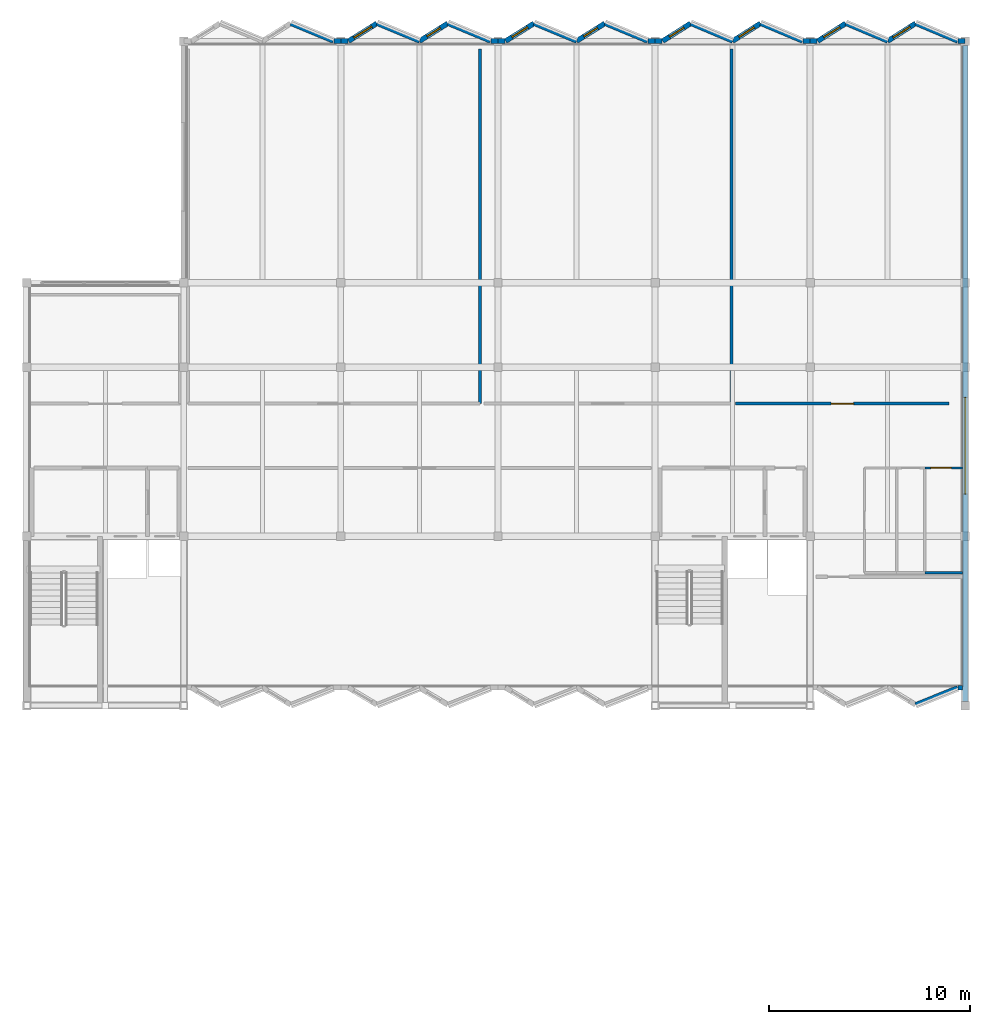
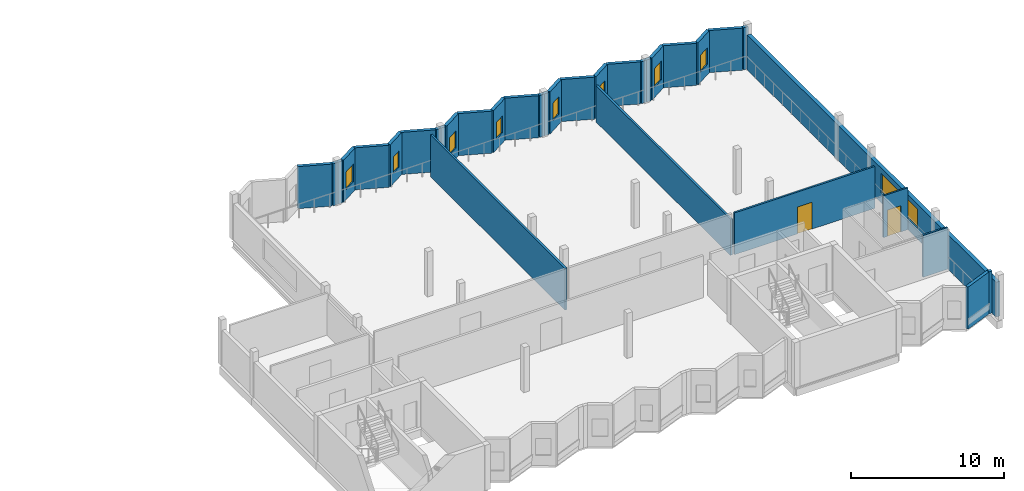
# One storey, part 16 of 22: 34 walls, 9 windows, 2 doors, 11 openings.
"""IFC4 building model written with IfcOpenShell, lengths in metres."""

from ifc_helpers import new_model, si_unit, direction, frame, frame_2d, origin, place, context, subcontext, project, spatial, rectangle, extrude, material, layer, layer_set, type_object, element, fill, save


model = new_model("IFC4")

# Units and contexts
model_context = context("Model", 3, precision=1e-05, world=origin(), true_north=direction((0.0, 1.0)))
body_context = subcontext(model_context, "Body", "Model", "MODEL_VIEW")
ifc_project = project(units=[si_unit("LENGTHUNIT", "METRE"), si_unit("AREAUNIT", "SQUARE_METRE"), si_unit("VOLUMEUNIT", "CUBIC_METRE"), si_unit("PLANEANGLEUNIT", "RADIAN"), si_unit("MASSUNIT", "GRAM", prefix="KILO")], contexts=[model_context])

# Site, building, storey
site_placement = place(None, origin())
site = spatial("IfcSite", under=ifc_project, at=site_placement, CompositionType="ELEMENT")
building_placement = place(site_placement, origin())
building = spatial("IfcBuilding", under=site, at=building_placement, Name="Vharandega Faculty of Natural Sciences", CompositionType="ELEMENT")
storey_placement = place(building_placement, frame((0.0, 0.0, 28.800048828125)))
storey = spatial("IfcBuildingStorey", under=building, at=storey_placement, Name="L07", CompositionType="ELEMENT", Elevation=28.800048828125)

# Walls
ifc_material_1 = material(Name="Gypsum fire-board on steel stud", Category="steel")
ifc_layer_1 = layer(ifc_material_1, 0.159912109375, Name="Gypsum fire-board on steel stud")
ifc_layer_set_1 = layer_set([ifc_layer_1], Name="Gypsum fire-board on steel stud")
wall_type_1 = type_object("IfcWallType", Name="Laboratory Fire Corridor Wall 160", PredefinedType="PARTITIONING", material=ifc_layer_set_1)
wall_1_placement = place(storey_placement, frame((137.300048828125, 79.0, 0.0), z_axis=(0.0, 0.0, 1.0), x_axis=(0.0, 1.0, 0.0)))
element("IfcWall", 1, at=wall_1_placement, inside=storey, type_object=wall_type_1, Name="Interior Wall PW-L07-R12E", PredefinedType="PARTITIONING", context=body_context, shape_type="SweptSolid", body=[
    extrude(rectangle(XDim=17.60009765625, YDim=0.159912109375, at=frame_2d((8.800048828125, 0.0))), origin(), (0.0, 0.0, 1.0), 3.33984375),
])
wall_2_placement = place(storey_placement, frame((149.800048828125, 79.0, 0.0), z_axis=(0.0, 0.0, 1.0), x_axis=(0.0, 1.0, 0.0)))
element("IfcWall", 2, at=wall_2_placement, inside=storey, type_object=wall_type_1, Name="Interior Wall PW-L07-R13E", PredefinedType="PARTITIONING", context=body_context, shape_type="SweptSolid", body=[
    extrude(rectangle(XDim=17.60009765625, YDim=0.159912109375, at=frame_2d((8.800048828125, 0.0))), origin(), (0.0, 0.0, 1.0), 2.89990234375),
])

# Wall, opening, door
ifc_material_2 = material(Name="Gypsum acoustic partition", Category="gypsum")
ifc_layer_2 = layer(ifc_material_2, 0.139892578125, Name="Gypsum acoustic partition")
ifc_layer_set_2 = layer_set([ifc_layer_2], Name="Gypsum acoustic partition")
wall_type_2 = type_object("IfcWallType", Name="Room Partition Wall 140", PredefinedType="PARTITIONING", material=ifc_layer_set_2)
wall_3_placement = place(storey_placement, frame((150.0, 79.0, 0.0), z_axis=(0.0, 0.0, 1.0), x_axis=(1.0, 0.0, 0.0)))
wall_3 = element("IfcWall", 3, at=wall_3_placement, inside=storey, type_object=wall_type_2, Name="Interior Wall PW-L07-R14S", PredefinedType="PARTITIONING", context=body_context, shape_type="SweptSolid", body=[
    extrude(rectangle(XDim=10.60009765625, YDim=0.139892578125, at=frame_2d((5.300048828125, 0.0))), origin(), (0.0, 0.0, 1.0), 3.33984375),
])
opening_1_placement = place(wall_3_placement, frame((4.739990234375, 0.0, 0.0)))
opening_1 = element("IfcOpeningElement", 4, at=opening_1_placement, cuts=wall_3, Name="Opening D0350", PredefinedType="OPENING", context=body_context, shape_type="SweptSolid", body=[
    extrude(rectangle(XDim=1.1201171875, YDim=2.14990234375, at=frame_2d((0.56005859375, 1.074951171875))), frame((0.0, 0.080078125, 0.0), z_axis=(0.0, -1.0, 0.0), x_axis=(1.0, 0.0, 0.0)), (0.0, 0.0, 1.0), 0.159912109375),
])
ifc_material_3 = material(Name="Solid-core hardwood timber fire door", Category="wood")
door_type_1 = type_object("IfcDoorType", Name="ID12-STUDIO-1120x2150", OperationType="NOTDEFINED", PredefinedType="DOOR", material=ifc_material_3)
door_1_placement = place(opening_1_placement, origin())
door_1 = element("IfcDoor", 5, at=door_1_placement, inside=storey, type_object=door_type_1, Name="Computational Physics Write-Up Studio Door D0350", OperationType="SINGLE_SWING_LEFT", OverallHeight=2.14990234375, OverallWidth=1.1201171875, PredefinedType="DOOR", context=body_context, shape_type="SweptSolid", body=[
    extrude(rectangle(XDim=1.1201171875, YDim=2.14990234375, at=frame_2d((0.56005859375, 1.074951171875))), frame((0.0, 0.02490234375, 0.0), z_axis=(0.0, -1.0, 0.0), x_axis=(1.0, 0.0, 0.0)), (0.0, 0.0, 1.0), 0.050048828125),
])
fill(opening_1, door_1)

# Wall
ifc_material_4 = material(Name="Moisture-resistant gypsum partition", Category="gypsum")
ifc_layer_3 = layer(ifc_material_4, 0.1201171875, Name="Moisture-resistant gypsum partition")
ifc_layer_set_3 = layer_set([ifc_layer_3], Name="Moisture-resistant gypsum partition")
wall_type_3 = type_object("IfcWallType", Name="Sanitary Wet Wall 120", PredefinedType="PARTITIONING", material=ifc_layer_set_3)
wall_4_placement = place(storey_placement, frame((159.39990234375, 70.60009765625, 0.0), z_axis=(0.0, 0.0, 1.0), x_axis=(1.0, 0.0, 0.0)))
element("IfcWall", 6, at=wall_4_placement, inside=storey, type_object=wall_type_3, Name="Interior Wall PW-L07-R10S", PredefinedType="PARTITIONING", context=body_context, shape_type="SweptSolid", body=[
    extrude(rectangle(XDim=1.860107421875, YDim=0.1201171875, at=frame_2d((0.93017578125, 0.0))), origin(), (0.0, 0.0, 1.0), 3.33984375),
])

# Wall, opening, door
wall_5_placement = place(storey_placement, frame((159.39990234375, 75.800048828125, 0.0), z_axis=(0.0, 0.0, 1.0), x_axis=(1.0, 0.0, 0.0)))
wall_5 = element("IfcWall", 7, at=wall_5_placement, inside=storey, type_object=wall_type_3, Name="Interior Wall PW-L07-R10N", PredefinedType="PARTITIONING", context=body_context, shape_type="SweptSolid", body=[
    extrude(rectangle(XDim=1.860107421875, YDim=0.1201171875, at=frame_2d((0.93017578125, 0.0))), origin(), (0.0, 0.0, 1.0), 3.33984375),
])
opening_2_placement = place(wall_5_placement, frame((0.300048828125, 0.0, 0.0)))
opening_2 = element("IfcOpeningElement", 8, at=opening_2_placement, cuts=wall_5, Name="Opening D0346", PredefinedType="OPENING", context=body_context, shape_type="SweptSolid", body=[
    extrude(rectangle(XDim=1.02001953125, YDim=2.10009765625, at=frame_2d((0.510009765625, 1.050048828125))), frame((0.0, 0.070068359375, 0.0), z_axis=(0.0, -1.0, 0.0), x_axis=(1.0, 0.0, 0.0)), (0.0, 0.0, 1.0), 0.14013671875),
])
ifc_material_5 = material(Name="Solid-core hardwood timber fire door", Category="wood")
door_type_2 = type_object("IfcDoorType", Name="ID07-ACCWC-1020x2100", OperationType="NOTDEFINED", PredefinedType="DOOR", material=ifc_material_5)
door_2_placement = place(opening_2_placement, origin())
door_2 = element("IfcDoor", 9, at=door_2_placement, inside=storey, type_object=door_type_2, Name="L07 Accessible WC Door D0346", OperationType="SINGLE_SWING_LEFT", OverallHeight=2.10009765625, OverallWidth=1.02001953125, PredefinedType="DOOR", context=body_context, shape_type="SweptSolid", body=[
    extrude(rectangle(XDim=1.02001953125, YDim=2.10009765625, at=frame_2d((0.510009765625, 1.050048828125))), frame((0.0, 0.02490234375, 0.0), z_axis=(0.0, -1.0, 0.0), x_axis=(1.0, 0.0, 0.0)), (0.0, 0.0, 1.0), 0.050048828125),
])
fill(opening_2, door_2)

# Wall, opening, window
ifc_material_6 = material(Name="Precast concrete C40/50", Category="concrete")
ifc_layer_4 = layer(ifc_material_6, 0.25, Name="Precast concrete C40/50")
ifc_layer_set_4 = layer_set([ifc_layer_4], Name="Precast concrete C40/50")
wall_type_4 = type_object("IfcWallType", Name="Sawtooth Glazed-Face Precast Wall 250", PredefinedType="SOLIDWALL", material=ifc_layer_set_4)
wall_6_placement = place(storey_placement, frame((130.780029296875, 97.0, 0.0), z_axis=(0.0, 0.0, 1.0), x_axis=(0.848023086369, 0.529959286158, 0.0)))
wall_6 = element("IfcWall", 10, at=wall_6_placement, inside=storey, type_object=wall_type_4, Name="Exterior Wall EW-SAW-L07-N03G", PredefinedType="SOLIDWALL", context=body_context, shape_type="SweptSolid", body=[
    extrude(rectangle(XDim=1.660400390625, YDim=0.25, at=frame_2d((0.830078125, 0.0))), origin(), (0.0, 0.0, 1.0), 3.35986328125),
])
opening_3_placement = place(wall_6_placement, frame((0.30517578125, 0.0, 0.820068359375)))
opening_3 = element("IfcOpeningElement", 11, at=opening_3_placement, cuts=wall_6, Name="Opening WN-06", PredefinedType="OPENING", context=body_context, shape_type="SweptSolid", body=[
    extrude(rectangle(XDim=1.050048828125, YDim=1.39990234375, at=frame_2d((0.52490234375, 0.699951171875))), frame((0.0, 0.135009765625, 0.0), z_axis=(0.0, -1.0, 0.0), x_axis=(1.0, 0.0, 0.0)), (0.0, 0.0, 1.0), 0.27001953125),
])
ifc_material_7 = material(Name="Double-glazed solar-control glass in thermally broken aluminium frame", Category="aluminium")
window_type_1 = type_object("IfcWindowType", Name="WIN-SAW-105x140", PartitioningType="SINGLE_PANEL", PredefinedType="WINDOW", material=ifc_material_7)
window_1_placement = place(opening_3_placement, origin())
window_1 = element("IfcWindow", 12, at=window_1_placement, inside=storey, type_object=window_type_1, Name="Window WIN-L07-0051", OverallHeight=1.39990234375, OverallWidth=1.050048828125, PartitioningType="SINGLE_PANEL", PredefinedType="WINDOW", context=body_context, shape_type="SweptSolid", body=[
    extrude(rectangle(XDim=1.050048828125, YDim=1.39990234375, at=frame_2d((0.52490234375, 0.699951171875))), frame((0.0, 0.030029296875, 0.0), z_axis=(0.0, -1.0, 0.0), x_axis=(1.0, 0.0, 0.0)), (0.0, 0.0, 1.0), 0.06005859375),
])
fill(opening_3, window_1)

wall_7_placement = place(storey_placement, frame((134.300048828125, 97.0, 0.0), z_axis=(0.0, 0.0, 1.0), x_axis=(0.848023086369, 0.529959286158, 0.0)))
wall_7 = element("IfcWall", 13, at=wall_7_placement, inside=storey, type_object=wall_type_4, Name="Exterior Wall EW-SAW-L07-N04G", PredefinedType="SOLIDWALL", context=body_context, shape_type="SweptSolid", body=[
    extrude(rectangle(XDim=1.660400390625, YDim=0.25, at=frame_2d((0.830078125, 0.0))), origin(), (0.0, 0.0, 1.0), 3.35986328125),
])
opening_4_placement = place(wall_7_placement, frame((0.440185546875, 0.0, 0.820068359375)))
opening_4 = element("IfcOpeningElement", 14, at=opening_4_placement, cuts=wall_7, Name="Opening WN-06A", PredefinedType="OPENING", context=body_context, shape_type="SweptSolid", body=[
    extrude(rectangle(XDim=0.780029296875, YDim=1.300048828125, at=frame_2d((0.39013671875, 0.64990234375))), frame((0.0, 0.135009765625, 0.0), z_axis=(0.0, -1.0, 0.0), x_axis=(1.0, 0.0, 0.0)), (0.0, 0.0, 1.0), 0.27001953125),
])
ifc_material_8 = material(Name="Double-glazed solar-control glass in thermally broken aluminium frame", Category="aluminium")
window_type_2 = type_object("IfcWindowType", Name="WIN-SAW-078x130", PartitioningType="SINGLE_PANEL", PredefinedType="WINDOW", material=ifc_material_8)
window_2_placement = place(opening_4_placement, origin())
window_2 = element("IfcWindow", 15, at=window_2_placement, inside=storey, type_object=window_type_2, Name="Window WIN-L07-0052", OverallHeight=1.300048828125, OverallWidth=0.780029296875, PartitioningType="SINGLE_PANEL", PredefinedType="WINDOW", context=body_context, shape_type="SweptSolid", body=[
    extrude(rectangle(XDim=0.780029296875, YDim=1.300048828125, at=frame_2d((0.39013671875, 0.64990234375))), frame((0.0, 0.030029296875, 0.0), z_axis=(0.0, -1.0, 0.0), x_axis=(1.0, 0.0, 0.0)), (0.0, 0.0, 1.0), 0.06005859375),
])
fill(opening_4, window_2)

wall_8_placement = place(storey_placement, frame((138.580078125, 97.0, 0.0), z_axis=(0.0, 0.0, 1.0), x_axis=(0.848023086369, 0.529959286158, 0.0)))
wall_8 = element("IfcWall", 16, at=wall_8_placement, inside=storey, type_object=wall_type_4, Name="Exterior Wall EW-SAW-L07-N05G", PredefinedType="SOLIDWALL", context=body_context, shape_type="SweptSolid", body=[
    extrude(rectangle(XDim=1.660400390625, YDim=0.25, at=frame_2d((0.830078125, 0.0))), origin(), (0.0, 0.0, 1.0), 3.35986328125),
])
opening_5_placement = place(wall_8_placement, frame((0.3701171875, 0.0, 0.820068359375)))
opening_5 = element("IfcOpeningElement", 17, at=opening_5_placement, cuts=wall_8, Name="Opening WN-06B", PredefinedType="OPENING", context=body_context, shape_type="SweptSolid", body=[
    extrude(rectangle(XDim=0.919921875, YDim=1.3798828125, at=frame_2d((0.4599609375, 0.68994140625))), frame((0.0, 0.135009765625, 0.0), z_axis=(0.0, -1.0, 0.0), x_axis=(1.0, 0.0, 0.0)), (0.0, 0.0, 1.0), 0.27001953125),
])
ifc_material_9 = material(Name="Double-glazed solar-control glass in thermally broken aluminium frame", Category="aluminium")
window_type_3 = type_object("IfcWindowType", Name="WIN-SAW-092x138", PartitioningType="SINGLE_PANEL", PredefinedType="WINDOW", material=ifc_material_9)
window_3_placement = place(opening_5_placement, origin())
window_3 = element("IfcWindow", 18, at=window_3_placement, inside=storey, type_object=window_type_3, Name="Window WIN-L07-0053", OverallHeight=1.3798828125, OverallWidth=0.919921875, PartitioningType="SINGLE_PANEL", PredefinedType="WINDOW", context=body_context, shape_type="SweptSolid", body=[
    extrude(rectangle(XDim=0.919921875, YDim=1.3798828125, at=frame_2d((0.4599609375, 0.68994140625))), frame((0.0, 0.030029296875, 0.0), z_axis=(0.0, -1.0, 0.0), x_axis=(1.0, 0.0, 0.0)), (0.0, 0.0, 1.0), 0.06005859375),
])
fill(opening_5, window_3)

wall_9_placement = place(storey_placement, frame((142.10009765625, 97.0, 0.0), z_axis=(0.0, 0.0, 1.0), x_axis=(0.848023086369, 0.529959286158, 0.0)))
wall_9 = element("IfcWall", 19, at=wall_9_placement, inside=storey, type_object=wall_type_4, Name="Exterior Wall EW-SAW-L07-N06G", PredefinedType="SOLIDWALL", context=body_context, shape_type="SweptSolid", body=[
    extrude(rectangle(XDim=1.660400390625, YDim=0.25, at=frame_2d((0.830078125, 0.0))), origin(), (0.0, 0.0, 1.0), 3.35986328125),
])
opening_6_placement = place(wall_9_placement, frame((0.43017578125, 0.0, 0.820068359375)))
opening_6 = element("IfcOpeningElement", 20, at=opening_6_placement, cuts=wall_9, Name="Opening WN-01", PredefinedType="OPENING", context=body_context, shape_type="SweptSolid", body=[
    extrude(rectangle(XDim=0.800048828125, YDim=1.35009765625, at=frame_2d((0.39990234375, 0.675048828125))), frame((0.0, 0.135009765625, 0.0), z_axis=(0.0, -1.0, 0.0), x_axis=(1.0, 0.0, 0.0)), (0.0, 0.0, 1.0), 0.27001953125),
])
ifc_material_10 = material(Name="Double-glazed solar-control glass in thermally broken aluminium frame", Category="aluminium")
window_type_4 = type_object("IfcWindowType", Name="WIN-SAW-080x135", PartitioningType="SINGLE_PANEL", PredefinedType="WINDOW", material=ifc_material_10)
window_4_placement = place(opening_6_placement, origin())
window_4 = element("IfcWindow", 21, at=window_4_placement, inside=storey, type_object=window_type_4, Name="Window WIN-L07-0054", OverallHeight=1.35009765625, OverallWidth=0.800048828125, PartitioningType="SINGLE_PANEL", PredefinedType="WINDOW", context=body_context, shape_type="SweptSolid", body=[
    extrude(rectangle(XDim=0.800048828125, YDim=1.35009765625, at=frame_2d((0.39990234375, 0.675048828125))), frame((0.0, 0.030029296875, 0.0), z_axis=(0.0, -1.0, 0.0), x_axis=(1.0, 0.0, 0.0)), (0.0, 0.0, 1.0), 0.06005859375),
])
fill(opening_6, window_4)

wall_10_placement = place(storey_placement, frame((146.3798828125, 97.0, 0.0), z_axis=(0.0, 0.0, 1.0), x_axis=(0.844626536799, 0.535355968805, 0.0)))
wall_10 = element("IfcWall", 22, at=wall_10_placement, inside=storey, type_object=wall_type_4, Name="Exterior Wall EW-SAW-L07-N07G", PredefinedType="SOLIDWALL", context=body_context, shape_type="SweptSolid", body=[
    extrude(rectangle(XDim=1.6435546875, YDim=0.25, at=frame_2d((0.82177734375, 0.0))), origin(), (0.0, 0.0, 1.0), 3.35986328125),
])
opening_7_placement = place(wall_10_placement, frame((0.396728515625, 0.0, 0.820068359375)))
opening_7 = element("IfcOpeningElement", 23, at=opening_7_placement, cuts=wall_10, Name="Opening WN-02", PredefinedType="OPENING", context=body_context, shape_type="SweptSolid", body=[
    extrude(rectangle(XDim=0.85009765625, YDim=1.39990234375, at=frame_2d((0.425048828125, 0.699951171875))), frame((0.0, 0.135009765625, 0.0), z_axis=(0.0, -1.0, 0.0), x_axis=(1.0, 0.0, 0.0)), (0.0, 0.0, 1.0), 0.27001953125),
])
ifc_material_11 = material(Name="Double-glazed solar-control glass in thermally broken aluminium frame", Category="aluminium")
window_type_5 = type_object("IfcWindowType", Name="WIN-SAW-085x140", PartitioningType="SINGLE_PANEL", PredefinedType="WINDOW", material=ifc_material_11)
window_5_placement = place(opening_7_placement, origin())
window_5 = element("IfcWindow", 24, at=window_5_placement, inside=storey, type_object=window_type_5, Name="Window WIN-L07-0055", OverallHeight=1.39990234375, OverallWidth=0.85009765625, PartitioningType="SINGLE_PANEL", PredefinedType="WINDOW", context=body_context, shape_type="SweptSolid", body=[
    extrude(rectangle(XDim=0.85009765625, YDim=1.39990234375, at=frame_2d((0.425048828125, 0.699951171875))), frame((0.0, 0.030029296875, 0.0), z_axis=(0.0, -1.0, 0.0), x_axis=(1.0, 0.0, 0.0)), (0.0, 0.0, 1.0), 0.06005859375),
])
fill(opening_7, window_5)

wall_11_placement = place(storey_placement, frame((149.85009765625, 97.0, 0.0), z_axis=(0.0, 0.0, 1.0), x_axis=(0.844583954912, 0.535423143976, 0.0)))
wall_11 = element("IfcWall", 25, at=wall_11_placement, inside=storey, type_object=wall_type_4, Name="Exterior Wall EW-SAW-L07-N08G", PredefinedType="SOLIDWALL", context=body_context, shape_type="SweptSolid", body=[
    extrude(rectangle(XDim=1.643310546875, YDim=0.25, at=frame_2d((0.82177734375, 0.0))), origin(), (0.0, 0.0, 1.0), 3.35986328125),
])
opening_8_placement = place(wall_11_placement, frame((0.37158203125, 0.0, 0.820068359375)))
opening_8 = element("IfcOpeningElement", 26, at=opening_8_placement, cuts=wall_11, Name="Opening WN-03", PredefinedType="OPENING", context=body_context, shape_type="SweptSolid", body=[
    extrude(rectangle(XDim=0.89990234375, YDim=1.449951171875, at=frame_2d((0.449951171875, 0.72509765625))), frame((0.0, 0.135009765625, 0.0), z_axis=(0.0, -1.0, 0.0), x_axis=(1.0, 0.0, 0.0)), (0.0, 0.0, 1.0), 0.27001953125),
])
ifc_material_12 = material(Name="Double-glazed solar-control glass in thermally broken aluminium frame", Category="aluminium")
window_type_6 = type_object("IfcWindowType", Name="WIN-SAW-090x145", PartitioningType="SINGLE_PANEL", PredefinedType="WINDOW", material=ifc_material_12)
window_6_placement = place(opening_8_placement, origin())
window_6 = element("IfcWindow", 27, at=window_6_placement, inside=storey, type_object=window_type_6, Name="Window WIN-L07-0056", OverallHeight=1.449951171875, OverallWidth=0.89990234375, PartitioningType="SINGLE_PANEL", PredefinedType="WINDOW", context=body_context, shape_type="SweptSolid", body=[
    extrude(rectangle(XDim=0.89990234375, YDim=1.449951171875, at=frame_2d((0.449951171875, 0.72509765625))), frame((0.0, 0.030029296875, 0.0), z_axis=(0.0, -1.0, 0.0), x_axis=(1.0, 0.0, 0.0)), (0.0, 0.0, 1.0), 0.06005859375),
])
fill(opening_8, window_6)

wall_12_placement = place(storey_placement, frame((154.080078125, 97.0, 0.0), z_axis=(0.0, 0.0, 1.0), x_axis=(0.844583954912, 0.535423143976, 0.0)))
wall_12 = element("IfcWall", 28, at=wall_12_placement, inside=storey, type_object=wall_type_4, Name="Exterior Wall EW-SAW-L07-N09G", PredefinedType="SOLIDWALL", context=body_context, shape_type="SweptSolid", body=[
    extrude(rectangle(XDim=1.643310546875, YDim=0.25, at=frame_2d((0.82177734375, 0.0))), origin(), (0.0, 0.0, 1.0), 3.35986328125),
])
opening_9_placement = place(wall_12_placement, frame((0.3466796875, 0.0, 0.820068359375)))
opening_9 = element("IfcOpeningElement", 29, at=opening_9_placement, cuts=wall_12, Name="Opening WN-04", PredefinedType="OPENING", context=body_context, shape_type="SweptSolid", body=[
    extrude(rectangle(XDim=0.949951171875, YDim=1.5, at=frame_2d((0.47509765625, 0.75))), frame((0.0, 0.135009765625, 0.0), z_axis=(0.0, -1.0, 0.0), x_axis=(1.0, 0.0, 0.0)), (0.0, 0.0, 1.0), 0.27001953125),
])
ifc_material_13 = material(Name="Double-glazed solar-control glass in thermally broken aluminium frame", Category="aluminium")
window_type_7 = type_object("IfcWindowType", Name="WIN-SAW-095x150", PartitioningType="SINGLE_PANEL", PredefinedType="WINDOW", material=ifc_material_13)
window_7_placement = place(opening_9_placement, origin())
window_7 = element("IfcWindow", 30, at=window_7_placement, inside=storey, type_object=window_type_7, Name="Window WIN-L07-0057", OverallHeight=1.5, OverallWidth=0.949951171875, PartitioningType="SINGLE_PANEL", PredefinedType="WINDOW", context=body_context, shape_type="SweptSolid", body=[
    extrude(rectangle(XDim=0.949951171875, YDim=1.5, at=frame_2d((0.47509765625, 0.75))), frame((0.0, 0.030029296875, 0.0), z_axis=(0.0, -1.0, 0.0), x_axis=(1.0, 0.0, 0.0)), (0.0, 0.0, 1.0), 0.06005859375),
])
fill(opening_9, window_7)

wall_13_placement = place(storey_placement, frame((157.550048828125, 97.0, 0.0), z_axis=(0.0, 0.0, 1.0), x_axis=(0.844583954912, 0.535423143976, 0.0)))
wall_13 = element("IfcWall", 31, at=wall_13_placement, inside=storey, type_object=wall_type_4, Name="Exterior Wall EW-SAW-L07-N10G", PredefinedType="SOLIDWALL", context=body_context, shape_type="SweptSolid", body=[
    extrude(rectangle(XDim=1.643310546875, YDim=0.25, at=frame_2d((0.82177734375, 0.0))), origin(), (0.0, 0.0, 1.0), 3.35986328125),
])
opening_10_placement = place(wall_13_placement, frame((0.32177734375, 0.0, 0.820068359375)))
opening_10 = element("IfcOpeningElement", 32, at=opening_10_placement, cuts=wall_13, Name="Opening WN-05", PredefinedType="OPENING", context=body_context, shape_type="SweptSolid", body=[
    extrude(rectangle(XDim=1.0, YDim=1.35009765625, at=frame_2d((0.5, 0.675048828125))), frame((0.0, 0.135009765625, 0.0), z_axis=(0.0, -1.0, 0.0), x_axis=(1.0, 0.0, 0.0)), (0.0, 0.0, 1.0), 0.27001953125),
])
ifc_material_14 = material(Name="Double-glazed solar-control glass in thermally broken aluminium frame", Category="aluminium")
window_type_8 = type_object("IfcWindowType", Name="WIN-SAW-100x135", PartitioningType="SINGLE_PANEL", PredefinedType="WINDOW", material=ifc_material_14)
window_8_placement = place(opening_10_placement, origin())
window_8 = element("IfcWindow", 33, at=window_8_placement, inside=storey, type_object=window_type_8, Name="Window WIN-L07-0058", OverallHeight=1.35009765625, OverallWidth=1.0, PartitioningType="SINGLE_PANEL", PredefinedType="WINDOW", context=body_context, shape_type="SweptSolid", body=[
    extrude(rectangle(XDim=1.0, YDim=1.35009765625, at=frame_2d((0.5, 0.675048828125))), frame((0.0, 0.030029296875, 0.0), z_axis=(0.0, -1.0, 0.0), x_axis=(1.0, 0.0, 0.0)), (0.0, 0.0, 1.0), 0.06005859375),
])
fill(opening_10, window_8)

# Walls
ifc_material_15 = material(Name="Precast concrete C40/50", Category="concrete")
ifc_layer_5 = layer(ifc_material_15, 0.22998046875, Name="Precast concrete C40/50")
ifc_layer_set_5 = layer_set([ifc_layer_5], Name="Precast concrete C40/50")
wall_type_5 = type_object("IfcWallType", Name="Sawtooth Solid White Precast Wall 230", PredefinedType="SOLIDWALL", material=ifc_layer_set_5)
wall_14_placement = place(storey_placement, frame((130.050048828125, 97.0, 0.0), z_axis=(0.0, 0.0, 1.0), x_axis=(1.0, 0.0, 0.0)))
element("IfcWall", 34, at=wall_14_placement, inside=storey, type_object=wall_type_5, Name="Exterior Wall EW-SHL-L07-N17R", PredefinedType="SOLIDWALL", context=body_context, shape_type="SweptSolid", body=[
    extrude(rectangle(XDim=0.349853515625, YDim=0.22998046875, at=frame_2d((0.1748046875, 0.0))), origin(), (0.0, 0.0, 1.0), 3.35986328125),
])
wall_15_placement = place(storey_placement, frame((130.39990234375, 97.0, 0.0), z_axis=(0.0, 0.0, 1.0), x_axis=(1.0, 0.0, 0.0)))
element("IfcWall", 35, at=wall_15_placement, inside=storey, type_object=wall_type_5, Name="Exterior Wall EW-SHL-L07-N17L", PredefinedType="SOLIDWALL", context=body_context, shape_type="SweptSolid", body=[
    extrude(rectangle(XDim=0.35009765625, YDim=0.22998046875, at=frame_2d((0.175048828125, 0.0))), origin(), (0.0, 0.0, 1.0), 3.35986328125),
])
wall_16_placement = place(storey_placement, frame((137.85009765625, 97.0, 0.0), z_axis=(0.0, 0.0, 1.0), x_axis=(1.0, 0.0, 0.0)))
element("IfcWall", 36, at=wall_16_placement, inside=storey, type_object=wall_type_5, Name="Exterior Wall EW-SHL-L07-N18R", PredefinedType="SOLIDWALL", context=body_context, shape_type="SweptSolid", body=[
    extrude(rectangle(XDim=0.349853515625, YDim=0.22998046875, at=frame_2d((0.1748046875, 0.0))), origin(), (0.0, 0.0, 1.0), 3.35986328125),
])
for number, where, z_axis, x_axis, name in (
    (37, (138.199951171875, 97.0, 0.0), (0.0, 0.0, 1.0), (1.0, 0.0, 0.0), "Exterior Wall EW-SHL-L07-N18L"),
    (38, (145.64990234375, 97.0, 0.0), (0.0, 0.0, 1.0), (1.0, 0.0, 0.0), "Exterior Wall EW-SHL-L07-N19R"),
    (39, (146.0, 97.0, 0.0), (0.0, 0.0, 1.0), (1.0, 0.0, 0.0), "Exterior Wall EW-SHL-L07-N19L"),
):
    element("IfcWall", number, at=place(storey_placement, frame(where, z_axis=z_axis, x_axis=x_axis)), inside=storey, type_object=wall_type_5, Name=name, PredefinedType="SOLIDWALL", context=body_context, shape_type="SweptSolid", body=[
        extrude(rectangle(XDim=0.35009765625, YDim=0.22998046875, at=frame_2d((0.175048828125, 0.0))), origin(), (0.0, 0.0, 1.0), 3.35986328125),
    ])
wall_17_placement = place(storey_placement, frame((153.35009765625, 97.0, 0.0), z_axis=(0.0, 0.0, 1.0), x_axis=(1.0, 0.0, 0.0)))
element("IfcWall", 40, at=wall_17_placement, inside=storey, type_object=wall_type_5, Name="Exterior Wall EW-SHL-L07-N20R", PredefinedType="SOLIDWALL", context=body_context, shape_type="SweptSolid", body=[
    extrude(rectangle(XDim=0.349853515625, YDim=0.22998046875, at=frame_2d((0.1748046875, 0.0))), origin(), (0.0, 0.0, 1.0), 3.35986328125),
])
wall_18_placement = place(storey_placement, frame((153.699951171875, 97.0, 0.0), z_axis=(0.0, 0.0, 1.0), x_axis=(1.0, 0.0, 0.0)))
element("IfcWall", 41, at=wall_18_placement, inside=storey, type_object=wall_type_5, Name="Exterior Wall EW-SHL-L07-N20L", PredefinedType="SOLIDWALL", context=body_context, shape_type="SweptSolid", body=[
    extrude(rectangle(XDim=0.35009765625, YDim=0.22998046875, at=frame_2d((0.175048828125, 0.0))), origin(), (0.0, 0.0, 1.0), 3.35986328125),
])
wall_19_placement = place(storey_placement, frame((161.050048828125, 97.0, 0.0), z_axis=(0.0, 0.0, 1.0), x_axis=(1.0, 0.0, 0.0)))
element("IfcWall", 42, at=wall_19_placement, inside=storey, type_object=wall_type_5, Name="Exterior Wall EW-SHL-L07-N21R", PredefinedType="SOLIDWALL", context=body_context, shape_type="SweptSolid", body=[
    extrude(rectangle(XDim=0.349853515625, YDim=0.22998046875, at=frame_2d((0.1748046875, 0.0))), origin(), (0.0, 0.0, 1.0), 3.35986328125),
])
wall_20_placement = place(storey_placement, frame((161.264892578125, 64.8798828125, 0.0), z_axis=(0.0, 0.0, 1.0), x_axis=(-1.0, 0.0, 0.0)))
element("IfcWall", 43, at=wall_20_placement, inside=storey, type_object=wall_type_5, Name="Exterior Wall EW-SHL-L07-S2021FR", PredefinedType="SOLIDWALL", context=body_context, shape_type="SweptSolid", body=[
    extrude(rectangle(XDim=0.224853515625, YDim=0.22998046875, at=frame_2d((0.1123046875, 0.0))), origin(), (0.0, 0.0, 1.0), 3.35986328125),
])
for number, where, z_axis, x_axis, name in (
    (44, (127.907958984375, 97.8798828125, 0.0), (0.0, 0.0, 1.0), (0.92309902008, -0.384562347517, 0.0), "Exterior Wall EW-SAW-L07-N02S"),
    (45, (132.18798828125, 97.8798828125, 0.0), (0.0, 0.0, 1.0), (0.92309902008, -0.384562347517, 0.0), "Exterior Wall EW-SAW-L07-N03S"),
    (46, (135.7080078125, 97.8798828125, 0.0), (0.0, 0.0, 1.0), (0.92309902008, -0.384562347517, 0.0), "Exterior Wall EW-SAW-L07-N04S"),
    (47, (139.988037109375, 97.8798828125, 0.0), (0.0, 0.0, 1.0), (0.92309902008, -0.384562347517, 0.0), "Exterior Wall EW-SAW-L07-N05S"),
    (48, (143.508056640625, 97.8798828125, 0.0), (0.0, 0.0, 1.0), (0.92309902008, -0.384562347517, 0.0), "Exterior Wall EW-SAW-L07-N06S"),
):
    element("IfcWall", number, at=place(storey_placement, frame(where, z_axis=z_axis, x_axis=x_axis)), inside=storey, type_object=wall_type_5, Name=name, PredefinedType="SOLIDWALL", context=body_context, shape_type="SweptSolid", body=[
        extrude(rectangle(XDim=2.2880859375, YDim=0.22998046875, at=frame_2d((1.14404296875, 0.0))), origin(), (0.0, 0.0, 1.0), 3.35986328125),
    ])
for number, where, z_axis, x_axis, name in (
    (49, (147.76806640625, 97.8798828125, 0.0), (0.0, 0.0, 1.0), (0.921122216024, -0.389273506866, 0.0), "Exterior Wall EW-SAW-L07-N07S"),
    (50, (151.238037109375, 97.8798828125, 0.0), (0.0, 0.0, 1.0), (0.921122216024, -0.389273506866, 0.0), "Exterior Wall EW-SAW-L07-N08S"),
    (51, (155.468017578125, 97.8798828125, 0.0), (0.0, 0.0, 1.0), (0.921122216024, -0.389273506866, 0.0), "Exterior Wall EW-SAW-L07-N09S"),
    (52, (158.93798828125, 97.8798828125, 0.0), (0.0, 0.0, 1.0), (0.921122216024, -0.389273506866, 0.0), "Exterior Wall EW-SAW-L07-N10S"),
):
    element("IfcWall", number, at=place(storey_placement, frame(where, z_axis=z_axis, x_axis=x_axis)), inside=storey, type_object=wall_type_5, Name=name, PredefinedType="SOLIDWALL", context=body_context, shape_type="SweptSolid", body=[
        extrude(rectangle(XDim=2.26025390625, YDim=0.22998046875, at=frame_2d((1.130126953125, 0.0))), origin(), (0.0, 0.0, 1.0), 3.35986328125),
    ])
wall_21_placement = place(storey_placement, frame((161.02001953125, 64.8798828125, 0.0), z_axis=(0.0, 0.0, 1.0), x_axis=(-0.927392797001, -0.374089026933, 0.0)))
element("IfcWall", 53, at=wall_21_placement, inside=storey, type_object=wall_type_5, Name="Exterior Wall EW-SAW-L07-S08S", PredefinedType="SOLIDWALL", context=body_context, shape_type="SweptSolid", body=[
    extrude(rectangle(XDim=2.2451171875, YDim=0.22998046875, at=frame_2d((1.12255859375, 0.0))), origin(), (0.0, 0.0, 1.0), 3.35986328125),
])

# Wall, opening, window
ifc_material_16 = material(Name="Precast concrete C40/50", Category="concrete")
ifc_layer_6 = layer(ifc_material_16, 0.280029296875, Name="Precast concrete C40/50")
ifc_layer_set_6 = layer_set([ifc_layer_6], Name="Precast concrete C40/50")
wall_type_6 = type_object("IfcWallType", Name="White Precast End Wall 280", PredefinedType="SOLIDWALL", material=ifc_layer_set_6)
wall_22_placement = place(storey_placement, frame((161.39990234375, 96.7919921875, 0.0), z_axis=(0.0, 0.0, 1.0), x_axis=(0.0, -1.0, 0.0)))
wall_22 = element("IfcWall", 54, at=wall_22_placement, inside=storey, type_object=wall_type_6, Name="Exterior Wall EW-L07-V4E", PredefinedType="SOLIDWALL", context=body_context, shape_type="SweptSolid", body=[
    extrude(rectangle(XDim=32.583984375, YDim=0.280029296875, at=frame_2d((16.2919921875, 0.0))), origin(), (0.0, 0.0, 1.0), 2.780029296875),
])
opening_11_placement = place(wall_22_placement, frame((17.491943359375, 0.0, 0.820068359375)))
opening_11 = element("IfcOpeningElement", 55, at=opening_11_placement, cuts=wall_22, Name="Opening WN-13", PredefinedType="OPENING", context=body_context, shape_type="SweptSolid", body=[
    extrude(rectangle(XDim=4.800048828125, YDim=1.550048828125, at=frame_2d((2.39990234375, 0.77490234375))), frame((0.0, 0.14990234375, 0.0), z_axis=(0.0, -1.0, 0.0), x_axis=(1.0, 0.0, 0.0)), (0.0, 0.0, 1.0), 0.300048828125),
])
ifc_material_17 = material(Name="Double-glazed solar-control glass in thermally broken aluminium frame", Category="aluminium")
window_type_9 = type_object("IfcWindowType", Name="WIN-MON-480x155", PartitioningType="DOUBLE_PANEL_VERTICAL", PredefinedType="WINDOW", material=ifc_material_17)
window_9_placement = place(opening_11_placement, origin())
window_9 = element("IfcWindow", 56, at=window_9_placement, inside=storey, type_object=window_type_9, Name="Window WIN-L07-0047", OverallHeight=1.550048828125, OverallWidth=4.800048828125, PartitioningType="SINGLE_PANEL", PredefinedType="WINDOW", context=body_context, shape_type="SweptSolid", body=[
    extrude(rectangle(XDim=4.800048828125, YDim=1.550048828125, at=frame_2d((2.39990234375, 0.77490234375))), frame((0.0, 0.030029296875, 0.0), z_axis=(0.0, -1.0, 0.0), x_axis=(1.0, 0.0, 0.0)), (0.0, 0.0, 1.0), 0.06005859375),
])
fill(opening_11, window_9)

save(model, "model.ifc")
